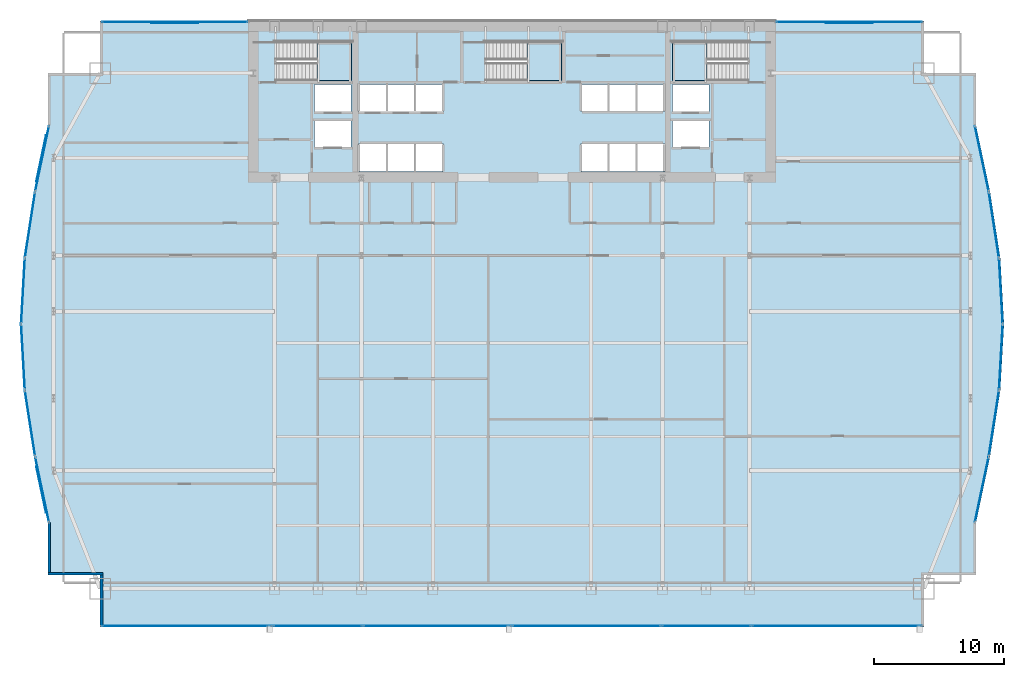
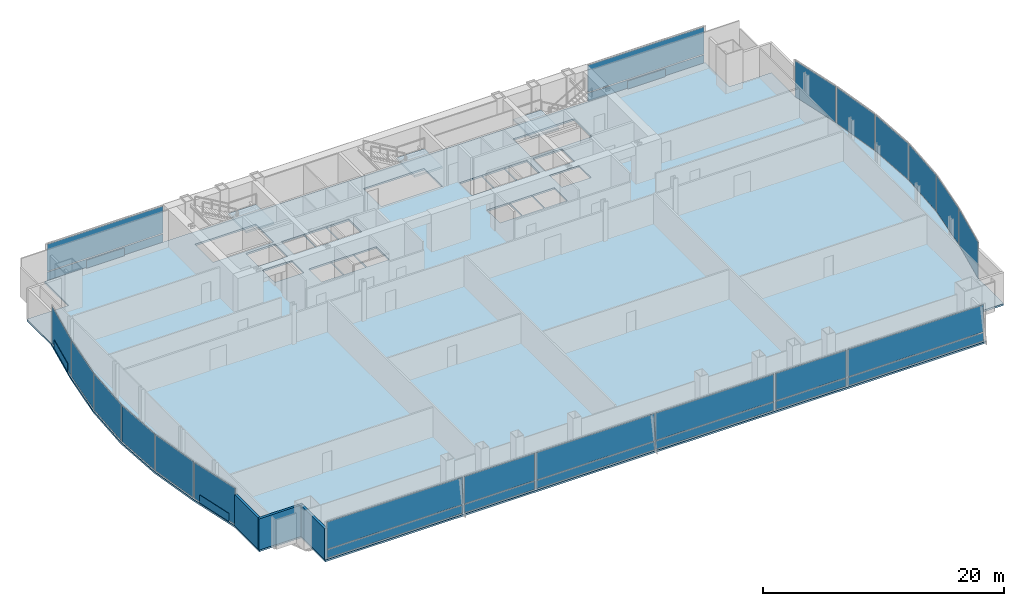
# One storey, part 27 of 35: 32 plates, 4 slabs, 3 walls, 22 elements without a shape of their own.
"""IFC4 building model written with IfcOpenShell, lengths in metres."""

from ifc_helpers import new_model, si_unit, direction, frame, frame_2d, origin, origin_2d, place, context, subcontext, project, spatial, polyline, rectangle, outline, extrude, material, layer, layer_set, type_object, element, aggregate, save


model = new_model("IFC4")

# Units and contexts
model_context = context("Model", 3, precision=1e-05, world=origin(), true_north=direction((0.0, 1.0)))
body_context = subcontext(model_context, "Body", "Model", "MODEL_VIEW")
ifc_project = project(units=[si_unit("LENGTHUNIT", "METRE"), si_unit("AREAUNIT", "SQUARE_METRE"), si_unit("VOLUMEUNIT", "CUBIC_METRE"), si_unit("PLANEANGLEUNIT", "RADIAN"), si_unit("MASSUNIT", "GRAM", prefix="KILO")], contexts=[model_context])

# Site, building, storey
site_placement = place(None, origin())
site = spatial("IfcSite", under=ifc_project, at=site_placement, CompositionType="ELEMENT")
building_placement = place(site_placement, origin())
building = spatial("IfcBuilding", under=site, at=building_placement, Name="Khoronbel Lancet Exchange", CompositionType="ELEMENT")
storey_placement = place(building_placement, frame((0.0, 0.0, 53.800048828125)))
storey = spatial("IfcBuildingStorey", under=building, at=storey_placement, Name="L12", CompositionType="ELEMENT", Elevation=53.800048828125)

# Curtain wall, plate
ifc_material_1 = material(Name="Low-E Solar Control Insulating Glass", Category="glass")
curtain_wall_type_1 = type_object("IfcCurtainWallType", Name="CW-4", PredefinedType="NOTDEFINED", material=ifc_material_1)
curtain_wall_1_placement = place(storey_placement, origin())
curtain_wall_1 = element("IfcCurtainWall", 1, at=curtain_wall_1_placement, inside=storey, type_object=curtain_wall_type_1, Name="Unitised curtain wall CW-L12-E04", PredefinedType="NOTDEFINED")
ifc_material_2 = material(Name="Bronze-Anodised Aluminium 6063-T6", Category="aluminium")
ifc_layer_1 = layer(ifc_material_2, 0.050048828125, Name="Bronze-Anodised Aluminium 6063-T6")
ifc_layer_set_1 = layer_set([ifc_layer_1], Name="Bronze-Anodised Aluminium 6063-T6")
plate_type_1 = type_object("IfcPlateType", Name="PLT-CSP1", PredefinedType="SHEET", material=ifc_layer_set_1)
plate_1_placement = place(storey_placement, frame((0.343017578125, 17.741943359375, 0.0498046875), z_axis=(0.0, 0.0, 1.0), x_axis=(-0.206893845051, 0.978363397148, 0.0)))
plate_1 = element("IfcPlate", 2, at=plate_1_placement, type_object=plate_type_1, Name="Insulated bronze spandrel cassette CW-L12-E04", PredefinedType="SHEET", context=body_context, shape_type="SweptSolid", body=[
    extrude(rectangle(XDim=3.60009765625, YDim=0.050048828125, at=origin_2d()), origin(), (0.0, 0.0, 1.0), 0.800048828125),
])

curtain_wall_2_placement = place(storey_placement, origin())
curtain_wall_2 = element("IfcCurtainWall", 3, at=curtain_wall_2_placement, inside=storey, type_object=curtain_wall_type_1, Name="Unitised curtain wall CW-L12-E05", PredefinedType="NOTDEFINED")
plate_2_placement = place(storey_placement, frame((-0.529296875, 22.837890625, 0.0849609375), z_axis=(0.0, 0.0, 1.0), x_axis=(-0.153002055303, 0.988225870473, 0.0)))
plate_2 = element("IfcPlate", 4, at=plate_2_placement, type_object=plate_type_1, Name="CW4 panel 1.1", PredefinedType="CURTAIN_PANEL", context=body_context, shape_type="SweptSolid", body=[
    extrude(rectangle(XDim=4.9873046875, YDim=0.0380859375, at=origin_2d()), origin(), (0.0, 0.0, 1.0), 3.64990234375),
])
aggregate(curtain_wall_2, [plate_2])

curtain_wall_3_placement = place(storey_placement, origin())
curtain_wall_3 = element("IfcCurtainWall", 5, at=curtain_wall_3_placement, inside=storey, type_object=curtain_wall_type_1, Name="Unitised curtain wall CW-L12-E06", PredefinedType="NOTDEFINED")
plate_3_placement = place(storey_placement, frame((-1.066162109375, 27.9130859375, 0.0849609375), z_axis=(0.0, 0.0, 1.0), x_axis=(-0.056572896157, 0.998398471263, 0.0)))
plate_3 = element("IfcPlate", 6, at=plate_3_placement, type_object=plate_type_1, Name="CW4 panel 1.1", PredefinedType="CURTAIN_PANEL", context=body_context, shape_type="SweptSolid", body=[
    extrude(rectangle(XDim=4.931884765625, YDim=0.0380859375, at=origin_2d()), origin(), (0.0, 0.0, 1.0), 3.64990234375),
])
aggregate(curtain_wall_3, [plate_3])

curtain_wall_4_placement = place(storey_placement, origin())
curtain_wall_4 = element("IfcCurtainWall", 7, at=curtain_wall_4_placement, inside=storey, type_object=curtain_wall_type_1, Name="Unitised curtain wall CW-L12-E07", PredefinedType="NOTDEFINED")
plate_4_placement = place(storey_placement, frame((-1.066162109375, 32.98681640625, 0.0849609375), z_axis=(0.0, 0.0, 1.0), x_axis=(0.056572896157, 0.998398471263, 0.0)))
plate_4 = element("IfcPlate", 8, at=plate_4_placement, type_object=plate_type_1, Name="CW4 panel 1.1", PredefinedType="CURTAIN_PANEL", context=body_context, shape_type="SweptSolid", body=[
    extrude(rectangle(XDim=4.931884765625, YDim=0.0380859375, at=origin_2d()), origin(), (0.0, 0.0, 1.0), 3.64990234375),
])
aggregate(curtain_wall_4, [plate_4])

curtain_wall_5_placement = place(storey_placement, origin())
curtain_wall_5 = element("IfcCurtainWall", 9, at=curtain_wall_5_placement, inside=storey, type_object=curtain_wall_type_1, Name="Unitised curtain wall CW-L12-E08", PredefinedType="NOTDEFINED")
plate_5_placement = place(storey_placement, frame((-0.529296875, 38.062255859375, 0.0849609375), z_axis=(0.0, 0.0, 1.0), x_axis=(0.153002055303, 0.988225870473, 0.0)))
plate_5 = element("IfcPlate", 10, at=plate_5_placement, type_object=plate_type_1, Name="CW4 panel 1.1", PredefinedType="CURTAIN_PANEL", context=body_context, shape_type="SweptSolid", body=[
    extrude(rectangle(XDim=4.9873046875, YDim=0.0380859375, at=origin_2d()), origin(), (0.0, 0.0, 1.0), 3.64990234375),
])
aggregate(curtain_wall_5, [plate_5])

curtain_wall_6_placement = place(storey_placement, origin())
curtain_wall_6 = element("IfcCurtainWall", 11, at=curtain_wall_6_placement, inside=storey, type_object=curtain_wall_type_1, Name="Unitised curtain wall CW-L12-E09", PredefinedType="NOTDEFINED")
plate_6_placement = place(storey_placement, frame((0.343017578125, 43.157958984375, 0.0498046875), z_axis=(0.0, 0.0, 1.0), x_axis=(0.206893845051, 0.978363397148, 0.0)))
plate_6 = element("IfcPlate", 12, at=plate_6_placement, type_object=plate_type_1, Name="Insulated bronze spandrel cassette CW-L12-E09", PredefinedType="SHEET", context=body_context, shape_type="SweptSolid", body=[
    extrude(rectangle(XDim=3.60009765625, YDim=0.050048828125, at=origin_2d()), origin(), (0.0, 0.0, 1.0), 0.800048828125),
])

curtain_wall_type_2 = type_object("IfcCurtainWallType", Name="CW-1", PredefinedType="NOTDEFINED", material=ifc_material_1)
curtain_wall_7_placement = place(storey_placement, origin())
curtain_wall_7 = element("IfcCurtainWall", 13, at=curtain_wall_7_placement, inside=storey, type_object=curtain_wall_type_2, Name="Unitised curtain wall CW-L12-NWFLK", PredefinedType="NOTDEFINED")
plate_7_placement = place(storey_placement, frame((10.580078125, 53.550048828125, 0.0498046875), z_axis=(0.0, 0.0, 1.0), x_axis=(-1.0, 0.0, 0.0)))
plate_7 = element("IfcPlate", 14, at=plate_7_placement, type_object=plate_type_1, Name="Insulated bronze spandrel cassette CW-L12-NWFLK", PredefinedType="SHEET", context=body_context, shape_type="SweptSolid", body=[
    extrude(rectangle(XDim=3.60009765625, YDim=0.050048828125, at=origin_2d()), origin(), (0.0, 0.0, 1.0), 0.800048828125),
])

curtain_wall_8_placement = place(storey_placement, origin())
curtain_wall_8 = element("IfcCurtainWall", 15, at=curtain_wall_8_placement, inside=storey, type_object=curtain_wall_type_2, Name="Unitised curtain wall CW-L12-NEFLK", PredefinedType="NOTDEFINED")
plate_8_placement = place(storey_placement, frame((62.320068359375, 53.550048828125, 0.0498046875), z_axis=(0.0, 0.0, 1.0), x_axis=(-1.0, 0.0, 0.0)))
plate_8 = element("IfcPlate", 16, at=plate_8_placement, type_object=plate_type_1, Name="Insulated bronze spandrel cassette CW-L12-NEFLK", PredefinedType="SHEET", context=body_context, shape_type="SweptSolid", body=[
    extrude(rectangle(XDim=3.60009765625, YDim=0.050048828125, at=origin_2d()), origin(), (0.0, 0.0, 1.0), 0.800048828125),
])

curtain_wall_9_placement = place(storey_placement, origin())
curtain_wall_9 = element("IfcCurtainWall", 17, at=curtain_wall_9_placement, inside=storey, type_object=curtain_wall_type_1, Name="Unitised curtain wall CW-L12-E18", PredefinedType="NOTDEFINED")
plate_9_placement = place(storey_placement, frame((73.429443359375, 38.062255859375, 0.0849609375), z_axis=(0.0, 0.0, 1.0), x_axis=(0.153002055303, -0.988225870473, 0.0)))
plate_9 = element("IfcPlate", 18, at=plate_9_placement, type_object=plate_type_1, Name="CW4 panel 1.1", PredefinedType="CURTAIN_PANEL", context=body_context, shape_type="SweptSolid", body=[
    extrude(rectangle(XDim=4.9873046875, YDim=0.0380859375, at=origin_2d()), origin(), (0.0, 0.0, 1.0), 3.64990234375),
])
aggregate(curtain_wall_9, [plate_9])

curtain_wall_10_placement = place(storey_placement, origin())
curtain_wall_10 = element("IfcCurtainWall", 19, at=curtain_wall_10_placement, inside=storey, type_object=curtain_wall_type_1, Name="Unitised curtain wall CW-L12-E19", PredefinedType="NOTDEFINED")
plate_10_placement = place(storey_placement, frame((73.966064453125, 32.98681640625, 0.0849609375), z_axis=(0.0, 0.0, 1.0), x_axis=(0.056572896157, -0.998398471263, 0.0)))
plate_10 = element("IfcPlate", 20, at=plate_10_placement, type_object=plate_type_1, Name="CW4 panel 1.1", PredefinedType="CURTAIN_PANEL", context=body_context, shape_type="SweptSolid", body=[
    extrude(rectangle(XDim=4.931884765625, YDim=0.0380859375, at=origin_2d()), origin(), (0.0, 0.0, 1.0), 3.64990234375),
])
aggregate(curtain_wall_10, [plate_10])

curtain_wall_11_placement = place(storey_placement, origin())
curtain_wall_11 = element("IfcCurtainWall", 21, at=curtain_wall_11_placement, inside=storey, type_object=curtain_wall_type_1, Name="Unitised curtain wall CW-L12-E20", PredefinedType="NOTDEFINED")
plate_11_placement = place(storey_placement, frame((73.966064453125, 27.9130859375, 0.0849609375), z_axis=(0.0, 0.0, 1.0), x_axis=(-0.056572896157, -0.998398471263, 0.0)))
plate_11 = element("IfcPlate", 22, at=plate_11_placement, type_object=plate_type_1, Name="CW4 panel 1.1", PredefinedType="CURTAIN_PANEL", context=body_context, shape_type="SweptSolid", body=[
    extrude(rectangle(XDim=4.931884765625, YDim=0.0380859375, at=origin_2d()), origin(), (0.0, 0.0, 1.0), 3.64990234375),
])
aggregate(curtain_wall_11, [plate_11])

curtain_wall_12_placement = place(storey_placement, origin())
curtain_wall_12 = element("IfcCurtainWall", 23, at=curtain_wall_12_placement, inside=storey, type_object=curtain_wall_type_1, Name="Unitised curtain wall CW-L12-E21", PredefinedType="NOTDEFINED")
plate_12_placement = place(storey_placement, frame((73.429443359375, 22.837890625, 0.0849609375), z_axis=(0.0, 0.0, 1.0), x_axis=(-0.153002055303, -0.988225870473, 0.0)))
plate_12 = element("IfcPlate", 24, at=plate_12_placement, type_object=plate_type_1, Name="CW4 panel 1.1", PredefinedType="CURTAIN_PANEL", context=body_context, shape_type="SweptSolid", body=[
    extrude(rectangle(XDim=4.9873046875, YDim=0.0380859375, at=origin_2d()), origin(), (0.0, 0.0, 1.0), 3.64990234375),
])
aggregate(curtain_wall_12, [plate_12])

# Curtain wall, plates
curtain_wall_13_placement = place(storey_placement, origin())
curtain_wall_13 = element("IfcCurtainWall", 25, at=curtain_wall_13_placement, inside=storey, type_object=curtain_wall_type_2, Name="Unitised curtain wall CW-L12-SWB", PredefinedType="NOTDEFINED")
plate_13_placement = place(storey_placement, frame((21.550048828125, 7.2900390625, 0.0849609375), z_axis=(0.0, 0.0, 1.0), x_axis=(1.0, 0.0, 0.0)))
plate_13 = element("IfcPlate", 26, at=plate_13_placement, type_object=plate_type_1, Name="CW1 panel 1.1", PredefinedType="CURTAIN_PANEL", context=body_context, shape_type="SweptSolid", body=[
    extrude(rectangle(XDim=6.72998046875, YDim=0.0380859375, at=origin_2d()), origin(), (0.0, 0.0, 1.0), 0.822509765625),
])
plate_14_placement = place(storey_placement, frame((21.550048828125, 7.2900390625, 0.99267578125), z_axis=(0.0, 0.0, 1.0), x_axis=(1.0, 0.0, 0.0)))
plate_14 = element("IfcPlate", 27, at=plate_14_placement, type_object=plate_type_1, Name="CW1 panel 1.2", PredefinedType="CURTAIN_PANEL", context=body_context, shape_type="SweptSolid", body=[
    extrude(rectangle(XDim=6.72998046875, YDim=0.0380859375, at=origin_2d()), origin(), (0.0, 0.0, 1.0), 2.742431640625),
])
aggregate(curtain_wall_13, [plate_13, plate_14])

curtain_wall_14_placement = place(storey_placement, origin())
curtain_wall_14 = element("IfcCurtainWall", 28, at=curtain_wall_14_placement, inside=storey, type_object=curtain_wall_type_2, Name="Unitised curtain wall CW-L12-SEB", PredefinedType="NOTDEFINED")
plate_15_placement = place(storey_placement, frame((51.35009765625, 7.2900390625, 0.0849609375), z_axis=(0.0, 0.0, 1.0), x_axis=(1.0, 0.0, 0.0)))
plate_15 = element("IfcPlate", 29, at=plate_15_placement, type_object=plate_type_1, Name="CW1 panel 1.1", PredefinedType="CURTAIN_PANEL", context=body_context, shape_type="SweptSolid", body=[
    extrude(rectangle(XDim=6.72998046875, YDim=0.0380859375, at=origin_2d()), origin(), (0.0, 0.0, 1.0), 0.822509765625),
])
plate_16_placement = place(storey_placement, frame((51.35009765625, 7.2900390625, 0.99267578125), z_axis=(0.0, 0.0, 1.0), x_axis=(1.0, 0.0, 0.0)))
plate_16 = element("IfcPlate", 30, at=plate_16_placement, type_object=plate_type_1, Name="CW1 panel 1.2", PredefinedType="CURTAIN_PANEL", context=body_context, shape_type="SweptSolid", body=[
    extrude(rectangle(XDim=6.72998046875, YDim=0.0380859375, at=origin_2d()), origin(), (0.0, 0.0, 1.0), 2.742431640625),
])
aggregate(curtain_wall_14, [plate_15, plate_16])

# Plate
ifc_layer_2 = layer(ifc_material_1, 0.035888671875, Name="Low-E Solar Control Insulating Glass")
ifc_layer_set_2 = layer_set([ifc_layer_2], Name="Low-E Solar Control Insulating Glass")
plate_type_2 = type_object("IfcPlateType", Name="PLT-CWP1", PredefinedType="CURTAIN_PANEL", material=ifc_layer_set_2)
plate_17_placement = place(storey_placement, frame((10.580078125, 53.610107421875, 0.0849609375), z_axis=(0.0, 0.0, 1.0), x_axis=(-1.0, 0.0, 0.0)))
plate_17 = element("IfcPlate", 31, at=plate_17_placement, type_object=plate_type_2, Name="CW1 panel 1.1", PredefinedType="CURTAIN_PANEL", context=body_context, shape_type="SweptSolid", body=[
    extrude(rectangle(XDim=11.110107421875, YDim=0.0380859375, at=origin_2d()), origin(), (0.0, 0.0, 1.0), 0.822509765625),
])

plate_18_placement = place(storey_placement, frame((10.580078125, 53.610107421875, 0.99267578125), z_axis=(0.0, 0.0, 1.0), x_axis=(-1.0, 0.0, 0.0)))
plate_18 = element("IfcPlate", 32, at=plate_18_placement, type_object=plate_type_2, Name="CW1 panel 1.2", PredefinedType="CURTAIN_PANEL", context=body_context, shape_type="SweptSolid", body=[
    extrude(rectangle(XDim=11.110107421875, YDim=0.0380859375, at=origin_2d()), origin(), (0.0, 0.0, 1.0), 2.742431640625),
])

aggregate(curtain_wall_7, [plate_17, plate_18, plate_7])

plate_19_placement = place(storey_placement, frame((62.320068359375, 53.610107421875, 0.0849609375), z_axis=(0.0, 0.0, 1.0), x_axis=(-1.0, 0.0, 0.0)))
plate_19 = element("IfcPlate", 33, at=plate_19_placement, type_object=plate_type_2, Name="CW1 panel 1.1", PredefinedType="CURTAIN_PANEL", context=body_context, shape_type="SweptSolid", body=[
    extrude(rectangle(XDim=11.110107421875, YDim=0.0380859375, at=origin_2d()), origin(), (0.0, 0.0, 1.0), 0.822509765625),
])

plate_20_placement = place(storey_placement, frame((62.320068359375, 53.610107421875, 0.99267578125), z_axis=(0.0, 0.0, 1.0), x_axis=(-1.0, 0.0, 0.0)))
plate_20 = element("IfcPlate", 34, at=plate_20_placement, type_object=plate_type_2, Name="CW1 panel 1.2", PredefinedType="CURTAIN_PANEL", context=body_context, shape_type="SweptSolid", body=[
    extrude(rectangle(XDim=11.110107421875, YDim=0.0380859375, at=origin_2d()), origin(), (0.0, 0.0, 1.0), 2.742431640625),
])

aggregate(curtain_wall_8, [plate_19, plate_20, plate_8])

# Curtain wall, plates
curtain_wall_15_placement = place(storey_placement, origin())
curtain_wall_15 = element("IfcCurtainWall", 35, at=curtain_wall_15_placement, inside=storey, type_object=curtain_wall_type_2, Name="Unitised curtain wall CW-L12-SWV", PredefinedType="NOTDEFINED")
plate_21_placement = place(storey_placement, frame((11.52001953125, 7.2900390625, 0.0849609375), z_axis=(0.0, 0.0, 1.0), x_axis=(1.0, 0.0, 0.0)))
plate_21 = element("IfcPlate", 36, at=plate_21_placement, type_object=plate_type_2, Name="CW1 panel 1.1", PredefinedType="CURTAIN_PANEL", context=body_context, shape_type="SweptSolid", body=[
    extrude(rectangle(XDim=12.989990234375, YDim=0.0380859375, at=origin_2d()), origin(), (0.0, 0.0, 1.0), 0.822509765625),
])
plate_22_placement = place(storey_placement, frame((11.52001953125, 7.2900390625, 0.99267578125), z_axis=(0.0, 0.0, 1.0), x_axis=(1.0, 0.0, 0.0)))
plate_22 = element("IfcPlate", 37, at=plate_22_placement, type_object=plate_type_2, Name="CW1 panel 1.2", PredefinedType="CURTAIN_PANEL", context=body_context, shape_type="SweptSolid", body=[
    extrude(rectangle(XDim=12.989990234375, YDim=0.0380859375, at=origin_2d()), origin(), (0.0, 0.0, 1.0), 2.742431640625),
])
aggregate(curtain_wall_15, [plate_21, plate_22])

curtain_wall_16_placement = place(storey_placement, origin())
curtain_wall_16 = element("IfcCurtainWall", 38, at=curtain_wall_16_placement, inside=storey, type_object=curtain_wall_type_2, Name="Unitised curtain wall CW-L12-SCV", PredefinedType="NOTDEFINED")
plate_23_placement = place(storey_placement, frame((30.746337890625, 7.2900390625, 0.0849609375), z_axis=(0.0, 0.0, 1.0), x_axis=(1.0, 0.0, 0.0)))
plate_23 = element("IfcPlate", 39, at=plate_23_placement, type_object=plate_type_2, Name="CW1 panel 1.1", PredefinedType="CURTAIN_PANEL", context=body_context, shape_type="SweptSolid", body=[
    extrude(rectangle(XDim=11.322509765625, YDim=0.0380859375, at=origin_2d()), origin(), (0.0, 0.0, 1.0), 0.822509765625),
])
plate_24_placement = place(storey_placement, frame((30.746337890625, 7.2900390625, 0.99267578125), z_axis=(0.0, 0.0, 1.0), x_axis=(1.0, 0.0, 0.0)))
plate_24 = element("IfcPlate", 40, at=plate_24_placement, type_object=plate_type_2, Name="CW1 panel 1.2", PredefinedType="CURTAIN_PANEL", context=body_context, shape_type="SweptSolid", body=[
    extrude(rectangle(XDim=11.322509765625, YDim=0.0380859375, at=origin_2d()), origin(), (0.0, 0.0, 1.0), 2.742431640625),
])
plate_25_placement = place(storey_placement, frame((42.15380859375, 7.2900390625, 0.0849609375), z_axis=(0.0, 0.0, 1.0), x_axis=(1.0, 0.0, 0.0)))
plate_25 = element("IfcPlate", 41, at=plate_25_placement, type_object=plate_type_2, Name="CW1 panel 2.1", PredefinedType="CURTAIN_PANEL", context=body_context, shape_type="SweptSolid", body=[
    extrude(rectangle(XDim=11.322509765625, YDim=0.0380859375, at=origin_2d()), origin(), (0.0, 0.0, 1.0), 0.822509765625),
])
plate_26_placement = place(storey_placement, frame((42.15380859375, 7.2900390625, 0.99267578125), z_axis=(0.0, 0.0, 1.0), x_axis=(1.0, 0.0, 0.0)))
plate_26 = element("IfcPlate", 42, at=plate_26_placement, type_object=plate_type_2, Name="CW1 panel 2.2", PredefinedType="CURTAIN_PANEL", context=body_context, shape_type="SweptSolid", body=[
    extrude(rectangle(XDim=11.322509765625, YDim=0.0380859375, at=origin_2d()), origin(), (0.0, 0.0, 1.0), 2.742431640625),
])
aggregate(curtain_wall_16, [plate_23, plate_24, plate_25, plate_26])

curtain_wall_17_placement = place(storey_placement, origin())
curtain_wall_17 = element("IfcCurtainWall", 43, at=curtain_wall_17_placement, inside=storey, type_object=curtain_wall_type_2, Name="Unitised curtain wall CW-L12-SEV", PredefinedType="NOTDEFINED")
plate_27_placement = place(storey_placement, frame((61.3798828125, 7.2900390625, 0.0849609375), z_axis=(0.0, 0.0, 1.0), x_axis=(1.0, 0.0, 0.0)))
plate_27 = element("IfcPlate", 44, at=plate_27_placement, type_object=plate_type_2, Name="CW1 panel 1.1", PredefinedType="CURTAIN_PANEL", context=body_context, shape_type="SweptSolid", body=[
    extrude(rectangle(XDim=12.989990234375, YDim=0.0380859375, at=origin_2d()), origin(), (0.0, 0.0, 1.0), 0.822509765625),
])
plate_28_placement = place(storey_placement, frame((61.3798828125, 7.2900390625, 0.99267578125), z_axis=(0.0, 0.0, 1.0), x_axis=(1.0, 0.0, 0.0)))
plate_28 = element("IfcPlate", 45, at=plate_28_placement, type_object=plate_type_2, Name="CW1 panel 1.2", PredefinedType="CURTAIN_PANEL", context=body_context, shape_type="SweptSolid", body=[
    extrude(rectangle(XDim=12.989990234375, YDim=0.0380859375, at=origin_2d()), origin(), (0.0, 0.0, 1.0), 2.742431640625),
])
aggregate(curtain_wall_17, [plate_27, plate_28])

# Plate
ifc_material_3 = material(Name="Ceramic-Fritted Laminated Insulating Glass", Category="glass")
ifc_layer_3 = layer(ifc_material_3, 0.0419921875, Name="Ceramic-Fritted Laminated Insulating Glass")
ifc_layer_set_3 = layer_set([ifc_layer_3], Name="Ceramic-Fritted Laminated Insulating Glass")
plate_type_3 = type_object("IfcPlateType", Name="PLT-CWP2", PredefinedType="CURTAIN_PANEL", material=ifc_layer_set_3)
plate_29_placement = place(storey_placement, frame((0.40185546875, 17.75439453125, 0.0849609375), z_axis=(0.0, 0.0, 1.0), x_axis=(-0.206893845051, 0.978363397148, 0.0)))
plate_29 = element("IfcPlate", 46, at=plate_29_placement, type_object=plate_type_3, Name="CW4 panel 1.1", PredefinedType="CURTAIN_PANEL", context=body_context, shape_type="SweptSolid", body=[
    extrude(rectangle(XDim=5.052734375, YDim=0.0380859375, at=origin_2d()), origin(), (0.0, 0.0, 1.0), 3.64990234375),
])

aggregate(curtain_wall_1, [plate_29, plate_1])

plate_30_placement = place(storey_placement, frame((0.40185546875, 43.1455078125, 0.0849609375), z_axis=(0.0, 0.0, 1.0), x_axis=(0.206893845051, 0.978363397148, 0.0)))
plate_30 = element("IfcPlate", 47, at=plate_30_placement, type_object=plate_type_3, Name="CW4 panel 1.1", PredefinedType="CURTAIN_PANEL", context=body_context, shape_type="SweptSolid", body=[
    extrude(rectangle(XDim=5.052734375, YDim=0.0380859375, at=origin_2d()), origin(), (0.0, 0.0, 1.0), 3.64990234375),
])

aggregate(curtain_wall_6, [plate_30, plate_6])

# Curtain wall, plate
curtain_wall_18_placement = place(storey_placement, origin())
curtain_wall_18 = element("IfcCurtainWall", 48, at=curtain_wall_18_placement, inside=storey, type_object=curtain_wall_type_1, Name="Unitised curtain wall CW-L12-E17", PredefinedType="NOTDEFINED")
plate_31_placement = place(storey_placement, frame((72.498291015625, 43.1455078125, 0.0849609375), z_axis=(0.0, 0.0, 1.0), x_axis=(0.206893845051, -0.978363397148, 0.0)))
plate_31 = element("IfcPlate", 49, at=plate_31_placement, type_object=plate_type_3, Name="CW4 panel 1.1", PredefinedType="CURTAIN_PANEL", context=body_context, shape_type="SweptSolid", body=[
    extrude(rectangle(XDim=5.052734375, YDim=0.0380859375, at=origin_2d()), origin(), (0.0, 0.0, 1.0), 3.64990234375),
])
aggregate(curtain_wall_18, [plate_31])

curtain_wall_19_placement = place(storey_placement, origin())
curtain_wall_19 = element("IfcCurtainWall", 50, at=curtain_wall_19_placement, inside=storey, type_object=curtain_wall_type_1, Name="Unitised curtain wall CW-L12-E22", PredefinedType="NOTDEFINED")
plate_32_placement = place(storey_placement, frame((72.498291015625, 17.75439453125, 0.0849609375), z_axis=(0.0, 0.0, 1.0), x_axis=(-0.206893845051, -0.978363397148, 0.0)))
plate_32 = element("IfcPlate", 51, at=plate_32_placement, type_object=plate_type_3, Name="CW4 panel 1.1", PredefinedType="CURTAIN_PANEL", context=body_context, shape_type="SweptSolid", body=[
    extrude(rectangle(XDim=5.052734375, YDim=0.0380859375, at=origin_2d()), origin(), (0.0, 0.0, 1.0), 3.64990234375),
])
aggregate(curtain_wall_19, [plate_32])

# Slab
ifc_material_4 = material(Name="Concrete C40/50", Category="concrete")
ifc_layer_4 = layer(ifc_material_4, 0.179931640625, Name="Concrete C40/50")
ifc_layer_set_4 = layer_set([ifc_layer_4], Name="Concrete C40/50")
slab_type_1 = type_object("IfcSlabType", Name="SL-FL180", PredefinedType="FLOOR", material=ifc_layer_set_4)
slab_1_placement = place(storey_placement, frame((0.0, 0.0, -0.179931640625)))
element("IfcSlab", 52, at=slab_1_placement, inside=storey, type_object=slab_type_1, Name="Level L12 composite structural floor slab", PredefinedType="FLOOR", context=body_context, shape_type="SweptSolid", body=[
    extrude(outline(polyline([(4.85009765625, 7.199951171875), (68.050048828125, 7.199951171875), (68.050048828125, 11.199951171875), (72.050048828125, 11.199951171875), (72.050048828125, 15.199951171875), (73.125, 20.283203125), (73.912109375, 25.36669921875), (74.199951171875, 30.449951171875), (73.912109375, 35.533203125), (73.125, 40.61669921875), (72.050048828125, 45.699951171875), (72.050048828125, 49.699951171875), (68.050048828125, 49.699951171875), (68.050048828125, 53.699951171875), (4.85009765625, 53.699951171875), (4.85009765625, 49.699951171875), (0.85009765625, 49.699951171875), (0.85009765625, 45.699951171875), (-0.22509765625, 40.61669921875), (-1.011962890625, 35.533203125), (-1.300048828125, 30.449951171875), (-1.011962890625, 25.36669921875), (-0.22509765625, 20.283203125), (0.85009765625, 15.199951171875), (0.85009765625, 11.199951171875), (4.85009765625, 11.199951171875), (4.85009765625, 7.199951171875)]), holes=[polyline([(18.324951171875, 49.1201171875), (24.14990234375, 49.1201171875), (24.14990234375, 52.10009765625), (18.324951171875, 52.10009765625), (18.324951171875, 49.1201171875)]), polyline([(48.75, 49.1201171875), (54.574951171875, 49.1201171875), (54.574951171875, 52.10009765625), (48.75, 52.10009765625), (48.75, 49.1201171875)]), polyline([(34.425048828125, 49.1201171875), (40.25, 49.1201171875), (40.25, 52.10009765625), (34.425048828125, 52.10009765625), (34.425048828125, 49.1201171875)]), polyline([(24.699951171875, 46.75), (26.840087890625, 46.75), (26.840087890625, 48.85009765625), (24.699951171875, 48.85009765625), (24.699951171875, 46.75)]), polyline([(26.860107421875, 46.75), (29.0, 46.75), (29.0, 48.85009765625), (26.860107421875, 48.85009765625), (26.860107421875, 46.75)]), polyline([(29.02001953125, 46.75), (31.159912109375, 46.75), (31.159912109375, 48.85009765625), (29.02001953125, 48.85009765625), (29.02001953125, 46.75)]), polyline([(24.699951171875, 42.14990234375), (26.840087890625, 42.14990234375), (26.840087890625, 44.300048828125), (24.699951171875, 44.300048828125), (24.699951171875, 42.14990234375)]), polyline([(26.860107421875, 42.14990234375), (29.0, 42.14990234375), (29.0, 44.300048828125), (26.860107421875, 44.300048828125), (26.860107421875, 42.14990234375)]), polyline([(29.02001953125, 42.14990234375), (31.159912109375, 42.14990234375), (31.159912109375, 44.300048828125), (29.02001953125, 44.300048828125), (29.02001953125, 42.14990234375)]), polyline([(41.739990234375, 46.75), (43.8798828125, 46.75), (43.8798828125, 48.85009765625), (41.739990234375, 48.85009765625), (41.739990234375, 46.75)]), polyline([(43.89990234375, 46.75), (46.0400390625, 46.75), (46.0400390625, 48.85009765625), (43.89990234375, 48.85009765625), (43.89990234375, 46.75)]), polyline([(46.06005859375, 46.75), (48.199951171875, 46.75), (48.199951171875, 48.85009765625), (46.06005859375, 48.85009765625), (46.06005859375, 46.75)]), polyline([(41.739990234375, 42.14990234375), (43.8798828125, 42.14990234375), (43.8798828125, 44.300048828125), (41.739990234375, 44.300048828125), (41.739990234375, 42.14990234375)]), polyline([(43.89990234375, 42.14990234375), (46.0400390625, 42.14990234375), (46.0400390625, 44.300048828125), (43.89990234375, 44.300048828125), (43.89990234375, 42.14990234375)]), polyline([(46.06005859375, 42.14990234375), (48.199951171875, 42.14990234375), (48.199951171875, 44.300048828125), (46.06005859375, 44.300048828125), (46.06005859375, 42.14990234375)]), polyline([(21.300048828125, 46.75), (24.10009765625, 46.75), (24.10009765625, 48.85009765625), (21.300048828125, 48.85009765625), (21.300048828125, 46.75)]), polyline([(48.75, 46.75), (51.550048828125, 46.75), (51.550048828125, 48.85009765625), (48.75, 48.85009765625), (48.75, 46.75)]), polyline([(21.300048828125, 44.050048828125), (24.10009765625, 44.050048828125), (24.10009765625, 46.050048828125), (21.300048828125, 46.050048828125), (21.300048828125, 44.050048828125)]), polyline([(48.75, 44.050048828125), (51.550048828125, 44.050048828125), (51.550048828125, 46.050048828125), (48.75, 46.050048828125), (48.75, 44.050048828125)])]), origin(), (0.0, 0.0, 1.0), 0.179931640625),
])

# Stair, slab
stair_type = type_object("IfcStairType", Name="STR-CORE150", PredefinedType="HALF_TURN_STAIR", material=ifc_material_4)
stair_1_placement = place(storey_placement, origin())
stair_1 = element("IfcStair", 53, at=stair_1_placement, inside=storey, type_object=stair_type, Name="L12 Protected Exit Stair ST1", PredefinedType="HALF_TURN_STAIR")
ifc_layer_5 = layer(ifc_material_4, 0.199951171875, Name="Concrete C40/50")
ifc_layer_set_5 = layer_set([ifc_layer_5], Name="Concrete C40/50")
slab_type_2 = type_object("IfcSlabType", Name="SL-LND180", PredefinedType="LANDING", material=ifc_layer_set_5)
slab_2_placement = place(storey_placement, frame((0.0, 0.0, 1.800048828125)))
slab_2 = element("IfcSlab", 54, at=slab_2_placement, type_object=slab_type_2, Name="ST1 landing 1", PredefinedType="LANDING", context=body_context, shape_type="SweptSolid", body=[
    extrude(outline(polyline([(21.489990234375, 49.1201171875), (24.14990234375, 49.1201171875), (24.14990234375, 52.10009765625), (21.489990234375, 52.10009765625), (21.489990234375, 49.1201171875)])), origin(), (0.0, 0.0, 1.0), 0.199951171875),
])
aggregate(stair_1, [slab_2])

stair_2_placement = place(storey_placement, origin())
stair_2 = element("IfcStair", 55, at=stair_2_placement, inside=storey, type_object=stair_type, Name="L12 Protected Exit Stair ST2", PredefinedType="HALF_TURN_STAIR")
slab_3_placement = place(storey_placement, frame((0.0, 0.0, 1.800048828125)))
slab_3 = element("IfcSlab", 56, at=slab_3_placement, type_object=slab_type_2, Name="ST2 landing 1", PredefinedType="LANDING", context=body_context, shape_type="SweptSolid", body=[
    extrude(outline(polyline([(51.409912109375, 52.10009765625), (48.75, 52.10009765625), (48.75, 49.1201171875), (51.409912109375, 49.1201171875), (51.409912109375, 52.10009765625)])), origin(), (0.0, 0.0, 1.0), 0.199951171875),
])
aggregate(stair_2, [slab_3])

stair_3_placement = place(storey_placement, origin())
stair_3 = element("IfcStair", 57, at=stair_3_placement, inside=storey, type_object=stair_type, Name="L12 Protected Exit Stair ST3", PredefinedType="HALF_TURN_STAIR")
slab_4_placement = place(storey_placement, frame((0.0, 0.0, 1.800048828125)))
slab_4 = element("IfcSlab", 58, at=slab_4_placement, type_object=slab_type_2, Name="ST3 landing 1", PredefinedType="LANDING", context=body_context, shape_type="SweptSolid", body=[
    extrude(outline(polyline([(37.590087890625, 49.1201171875), (40.25, 49.1201171875), (40.25, 52.10009765625), (37.590087890625, 52.10009765625), (37.590087890625, 49.1201171875)])), origin(), (0.0, 0.0, 1.0), 0.199951171875),
])
aggregate(stair_3, [slab_4])

# Walls
ifc_material_5 = material(Name="Precast concrete C40/50", Category="concrete")
ifc_layer_6 = layer(ifc_material_5, 0.25, Name="Precast concrete C40/50")
ifc_layer_set_6 = layer_set([ifc_layer_6], Name="Precast concrete C40/50")
wall_type = type_object("IfcWallType", Name="WL-EXT250", PredefinedType="SOLIDWALL", material=ifc_layer_set_6)
wall_1_placement = place(storey_placement, frame((4.93994140625, 7.27001953125, 0.0), z_axis=(0.0, 0.0, 1.0), x_axis=(0.0, 1.0, 0.0)))
element("IfcWall", 59, at=wall_1_placement, inside=storey, type_object=wall_type, Name="Level L12 notched-corner limestone pier 01", PredefinedType="SOLIDWALL", context=body_context, shape_type="SweptSolid", body=[
    extrude(rectangle(XDim=3.909912109375, YDim=0.219970703125, at=frame_2d((1.955078125, 0.0))), origin(), (0.0, 0.0, 1.0), 3.159912109375),
])
wall_2_placement = place(storey_placement, frame((5.050048828125, 11.2900390625, 0.0), z_axis=(0.0, 0.0, 1.0), x_axis=(-1.0, 0.0, 0.0)))
element("IfcWall", 60, at=wall_2_placement, inside=storey, type_object=wall_type, Name="Level L12 notched-corner limestone pier 02", PredefinedType="SOLIDWALL", context=body_context, shape_type="SweptSolid", body=[
    extrude(rectangle(XDim=4.219970703125, YDim=0.219970703125, at=frame_2d((2.10986328125, 0.0))), origin(), (0.0, 0.0, 1.0), 3.159912109375),
])
wall_3_placement = place(storey_placement, frame((0.93994140625, 11.39990234375, 0.0), z_axis=(0.0, 0.0, 1.0), x_axis=(0.0, 1.0, 0.0)))
element("IfcWall", 61, at=wall_3_placement, inside=storey, type_object=wall_type, Name="Level L12 notched-corner limestone pier 03", PredefinedType="SOLIDWALL", context=body_context, shape_type="SweptSolid", body=[
    extrude(rectangle(XDim=3.82958984375, YDim=0.219970703125, at=frame_2d((1.914794921875, 0.0))), origin(), (0.0, 0.0, 1.0), 3.159912109375),
])

save(model, "model.ifc")
